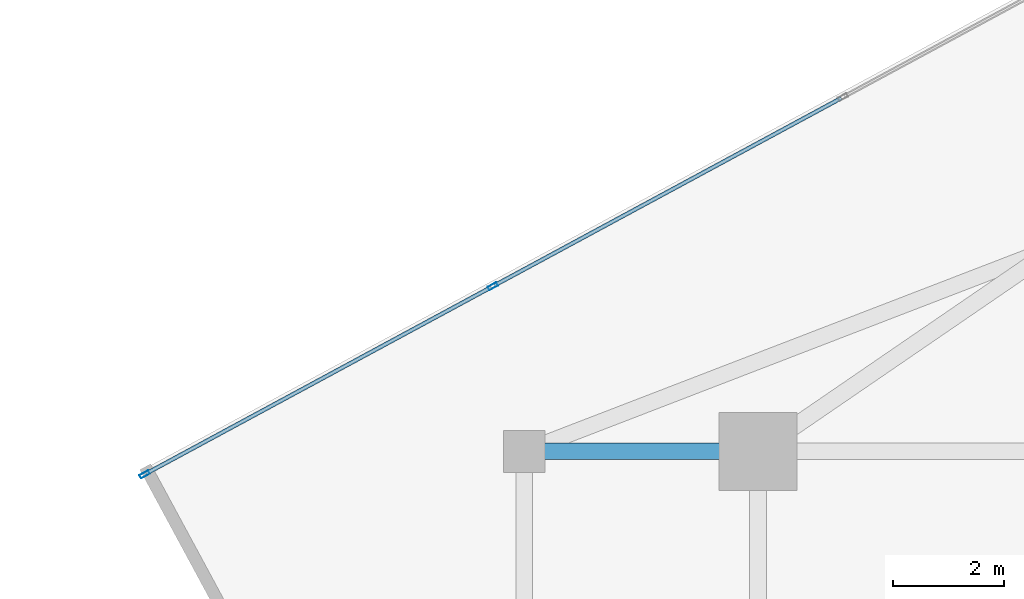
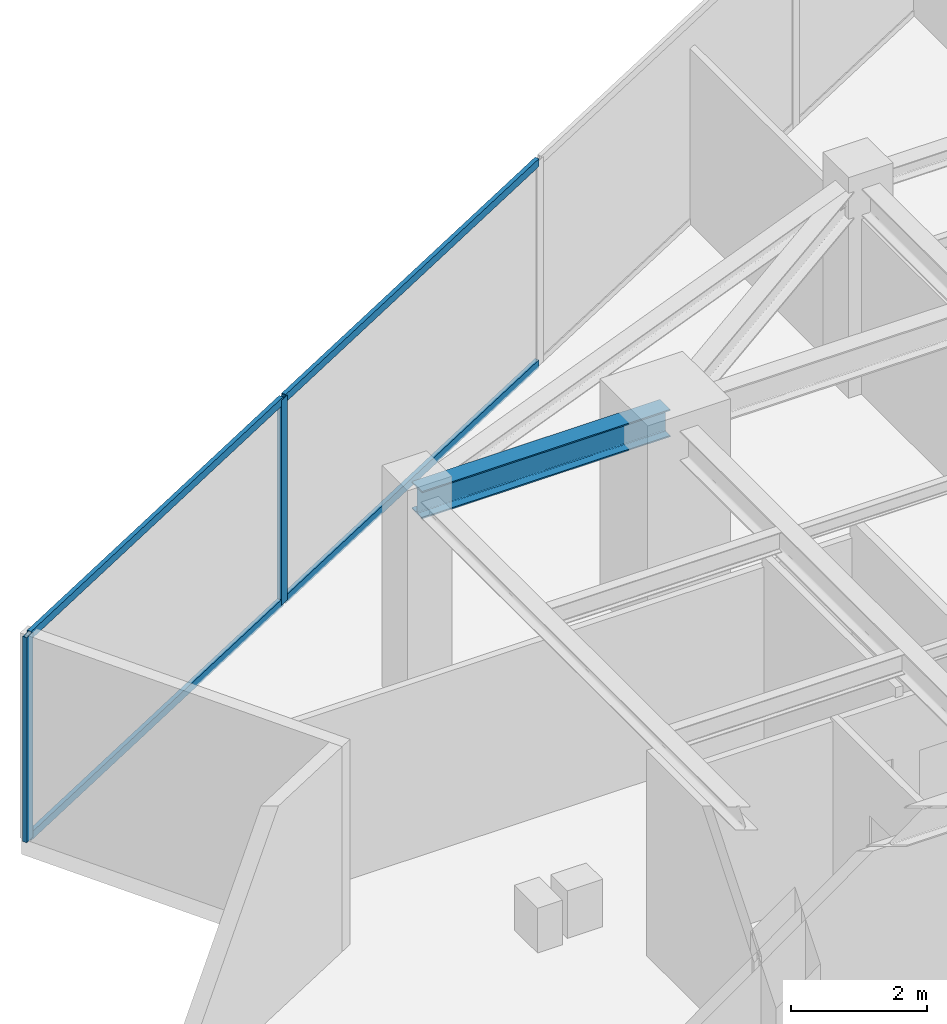
# One storey, part 13 of 22: 6 members, 1 beam, 1 element without a shape of its own.
"""IFC4 building model written with IfcOpenShell, lengths in metres."""

from ifc_helpers import new_model, si_unit, direction, frame, origin, origin_2d, place, context, subcontext, project, spatial, hollow_rectangle, i_section, extrude, source, transform, mapped, material, material_profile, profile_set, type_object, type_shapes, element, aggregate, save


model = new_model("IFC4")

# Units and contexts
model_context = context("Model", 3, precision=1e-05, world=origin(), true_north=direction((0.0, 1.0)))
body_context = subcontext(model_context, "Body", "Model", "MODEL_VIEW")
ifc_project = project(units=[si_unit("LENGTHUNIT", "METRE"), si_unit("AREAUNIT", "SQUARE_METRE"), si_unit("VOLUMEUNIT", "CUBIC_METRE"), si_unit("PLANEANGLEUNIT", "RADIAN"), si_unit("MASSUNIT", "GRAM", prefix="KILO")], contexts=[model_context])

# Site, building, storey
site_placement = place(None, origin())
site = spatial("IfcSite", under=ifc_project, at=site_placement, CompositionType="ELEMENT")
building_placement = place(site_placement, origin())
building = spatial("IfcBuilding", under=site, at=building_placement, Name="Krantzveldt Concourse Tower", CompositionType="ELEMENT")
storey_placement = place(building_placement, frame((0.0, 0.0, 306.89990234375)))
storey = spatial("IfcBuildingStorey", under=building, at=storey_placement, Name="L75", CompositionType="ELEMENT", Elevation=306.89990234375)

# Beam
ifc_material_1 = material(Name="Steel S355JR", Category="steel")
ifc_material_profile_1 = material_profile(ifc_material_1, i_section(OverallWidth=0.300048828125, OverallDepth=0.489990234375, WebThickness=0.011962890625, FlangeThickness=0.02294921875, FilletRadius=0.027099609375, at=origin_2d()), Name="Steel S355JR", Category="steel")
ifc_profile_set_1 = profile_set([ifc_material_profile_1], Name="Steel S355JR - HEA 500")
beam_type = type_object("IfcBeamType", Name="BM-B-HEA500", PredefinedType="BEAM", material=ifc_profile_set_1)
shared_shape_1 = source(origin(), body_context, "Body", "SweptSolid", [
    extrude(i_section(OverallWidth=0.300048828125, OverallDepth=0.489990234375, WebThickness=0.011962890625, FlangeThickness=0.02294921875, FilletRadius=0.027099609375, at=origin_2d()), origin(), (0.0, 0.0, 1.0), 4.199951171875),
])
type_shapes(beam_type, [shared_shape_1])
beam_placement = place(storey_placement, frame((21.0, 37.5, 3.425048828125), z_axis=(1.0, 0.0, 0.0), x_axis=(0.0, 1.0, 0.0)))
element("IfcBeam", 1, at=beam_placement, inside=storey, type_object=beam_type, Name="L75 Tower Girder BR-RL3", PredefinedType="BEAM", context=body_context, shape_type="MappedRepresentation", body=[
    mapped(shared_shape_1, transform((0.0, 0.0, 0.0), x_axis=(1.0, 0.0, 0.0), y_axis=(0.0, 1.0, 0.0), z_axis=(0.0, 0.0, 1.0), scale=1.0)),
])

# Curtain wall, members
ifc_material_2 = material(Name="Anodised aluminium 6063-T6", Category="aluminium")
curtain_wall_type = type_object("IfcCurtainWallType", Name="CW4", PredefinedType="USERDEFINED", material=ifc_material_2)
curtain_wall_placement = place(storey_placement, origin())
curtain_wall = element("IfcCurtainWall", 2, at=curtain_wall_placement, inside=storey, type_object=curtain_wall_type, Name="CW-L75-F01", ObjectType="UNITISED CURTAIN WALL", PredefinedType="USERDEFINED")
ifc_material_profile_2 = material_profile(ifc_material_2, hollow_rectangle(XDim=0.070068359375, YDim=0.179931640625, WallThickness=0.0048828125, at=origin_2d()), Name="Anodised aluminium 6063-T6", Category="aluminium")
ifc_profile_set_2 = profile_set([ifc_material_profile_2], Name="Anodised aluminium 6063-T6 - ALU-MULL 180x70x5")
member_type_1 = type_object("IfcMemberType", Name="CW-MUL-180", PredefinedType="MULLION", material=ifc_profile_set_2)
shared_shape_2 = source(origin(), body_context, "Body", "SweptSolid", [
    extrude(hollow_rectangle(XDim=0.070068359375, YDim=0.179931640625, WallThickness=0.0048828125, at=origin_2d()), origin(), (0.0, 0.0, 1.0), 3.670166015625),
])
type_shapes(member_type_1, [shared_shape_2])
member_1_placement = place(storey_placement, frame((20.43701171875, 40.468017578125, 0.0), z_axis=(0.0, 0.0, 1.0), x_axis=(0.475240271736, -0.87985605875, 0.0)))
member_1 = element("IfcMember", 3, at=member_1_placement, type_object=member_type_1, Name="CW-Z56 mullion 4", PredefinedType="MULLION", context=body_context, shape_type="MappedRepresentation", body=[
    mapped(shared_shape_2, transform((0.0, 0.0, 0.0), x_axis=(1.0, 0.0, 0.0), y_axis=(0.0, 1.0, 0.0), z_axis=(0.0, 0.0, 1.0), scale=1.0)),
])
member_2_placement = place(storey_placement, frame((14.177001953125, 37.086669921875, 0.0), z_axis=(0.0, 0.0, 1.0), x_axis=(0.475240271736, -0.87985605875, 0.0)))
member_2 = element("IfcMember", 4, at=member_2_placement, type_object=member_type_1, Name="CW-Z56 mullion 5", PredefinedType="MULLION", context=body_context, shape_type="MappedRepresentation", body=[
    mapped(shared_shape_2, transform((0.0, 0.0, 0.0), x_axis=(1.0, 0.0, 0.0), y_axis=(0.0, 1.0, 0.0), z_axis=(0.0, 0.0, 1.0), scale=1.0)),
])
ifc_material_profile_3 = material_profile(ifc_material_2, hollow_rectangle(XDim=0.070068359375, YDim=0.139892578125, WallThickness=0.0048828125, at=origin_2d()), Name="Anodised aluminium 6063-T6", Category="aluminium")
ifc_profile_set_3 = profile_set([ifc_material_profile_3], Name="Anodised aluminium 6063-T6 - ALU-TRAN 140x70x5")
member_type_2 = type_object("IfcMemberType", Name="CW-TRN-150", PredefinedType="USERDEFINED", material=ifc_profile_set_3)
shared_shape_3 = source(origin(), body_context, "Body", "SweptSolid", [
    extrude(hollow_rectangle(XDim=0.070068359375, YDim=0.139892578125, WallThickness=0.0048828125, at=origin_2d()), origin(), (0.0, 0.0, 1.0), 7.044921875),
])
member_3_placement = place(storey_placement, frame((20.40625, 40.451416015625, 0.03515625), z_axis=(-0.879848306025, -0.475254624791, 0.0), x_axis=(0.475254624791, -0.879848306025, 0.0)))
member_3 = element("IfcMember", 5, at=member_3_placement, type_object=member_type_2, Name="CW-Z56 transom 4.1", ObjectType="TRANSOM", PredefinedType="USERDEFINED", context=body_context, shape_type="MappedRepresentation", body=[
    mapped(shared_shape_3, transform((0.0, 0.0, 0.0), x_axis=(1.0, 0.0, 0.0), y_axis=(0.0, 1.0, 0.0), z_axis=(0.0, 0.0, 1.0), scale=1.0)),
])
member_4_placement = place(storey_placement, frame((20.40625, 40.451416015625, 3.635009765625), z_axis=(-0.879848306025, -0.475254624791, 0.0), x_axis=(0.475254624791, -0.879848306025, 0.0)))
member_4 = element("IfcMember", 6, at=member_4_placement, type_object=member_type_2, Name="CW-Z56 transom 4.2", ObjectType="TRANSOM", PredefinedType="USERDEFINED", context=body_context, shape_type="MappedRepresentation", body=[
    mapped(shared_shape_3, transform((0.0, 0.0, 0.0), x_axis=(1.0, 0.0, 0.0), y_axis=(0.0, 1.0, 0.0), z_axis=(0.0, 0.0, 1.0), scale=1.0)),
])
shared_shape_4 = source(origin(), body_context, "Body", "SweptSolid", [
    extrude(hollow_rectangle(XDim=0.070068359375, YDim=0.139892578125, WallThickness=0.0048828125, at=origin_2d()), origin(), (0.0, 0.0, 1.0), 7.080078125),
])
type_shapes(member_type_2, [shared_shape_3, shared_shape_4])
member_5_placement = place(storey_placement, frame((26.697265625, 43.849365234375, 0.03515625), z_axis=(-0.879856953046, -0.47523861604, 0.0), x_axis=(0.47523861604, -0.879856953046, 0.0)))
member_5 = element("IfcMember", 7, at=member_5_placement, type_object=member_type_2, Name="CW-Z56 transom 3.1", ObjectType="TRANSOM", PredefinedType="USERDEFINED", context=body_context, shape_type="MappedRepresentation", body=[
    mapped(shared_shape_4, transform((0.0, 0.0, 0.0), x_axis=(1.0, 0.0, 0.0), y_axis=(0.0, 1.0, 0.0), z_axis=(0.0, 0.0, 1.0), scale=1.0)),
])
member_6_placement = place(storey_placement, frame((26.697265625, 43.849365234375, 3.635009765625), z_axis=(-0.879856953046, -0.47523861604, 0.0), x_axis=(0.47523861604, -0.879856953046, 0.0)))
member_6 = element("IfcMember", 8, at=member_6_placement, type_object=member_type_2, Name="CW-Z56 transom 3.2", ObjectType="TRANSOM", PredefinedType="USERDEFINED", context=body_context, shape_type="MappedRepresentation", body=[
    mapped(shared_shape_4, transform((0.0, 0.0, 0.0), x_axis=(1.0, 0.0, 0.0), y_axis=(0.0, 1.0, 0.0), z_axis=(0.0, 0.0, 1.0), scale=1.0)),
])
aggregate(curtain_wall, [member_1, member_2, member_5, member_6, member_3, member_4])

save(model, "model.ifc")
